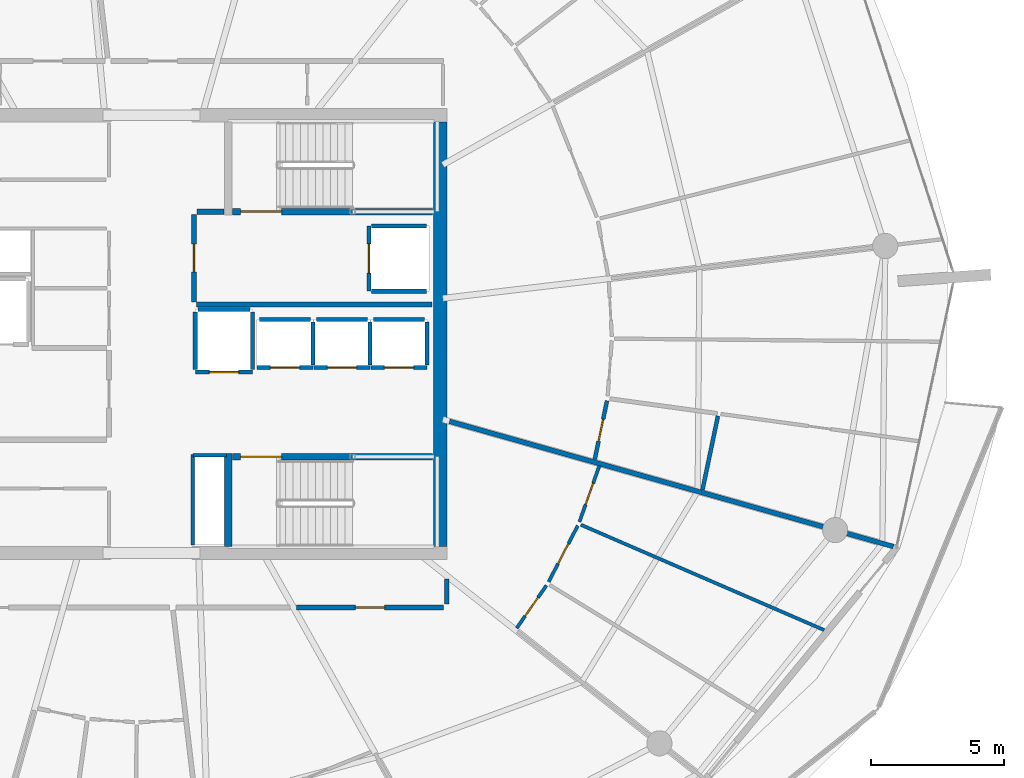
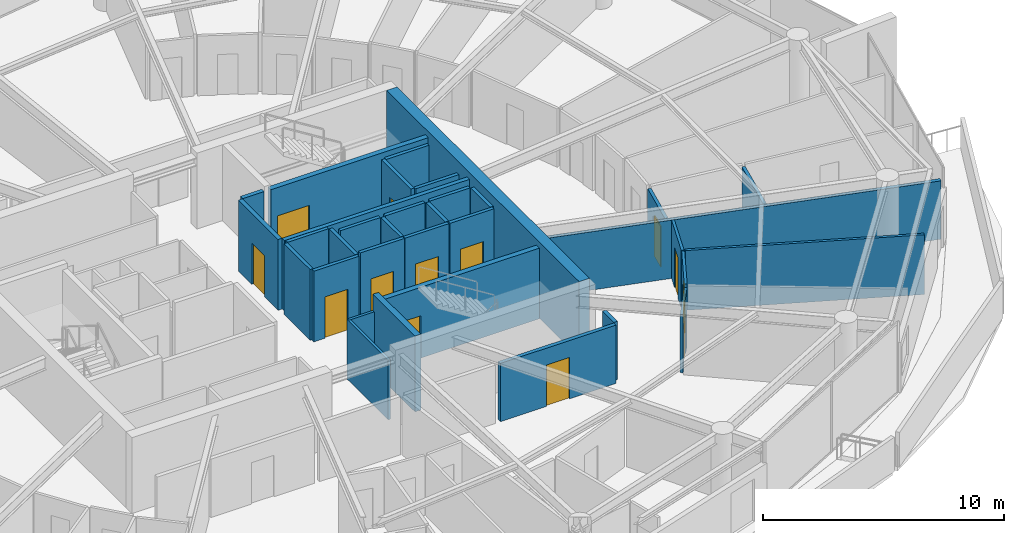
# One storey, part 19 of 29: 34 walls, 13 doors, 13 openings.
"""IFC4 building model written with IfcOpenShell, lengths in metres."""

from ifc_helpers import new_model, si_unit, direction, frame, frame_2d, origin, place, context, subcontext, project, spatial, rectangle, extrude, material, layer, layer_set, type_object, element, fill, save


model = new_model("IFC4")

# Units and contexts
model_context = context("Model", 3, precision=1e-05, world=origin(), true_north=direction((0.0, 1.0)))
body_context = subcontext(model_context, "Body", "Model", "MODEL_VIEW")
ifc_project = project(units=[si_unit("LENGTHUNIT", "METRE"), si_unit("AREAUNIT", "SQUARE_METRE"), si_unit("VOLUMEUNIT", "CUBIC_METRE"), si_unit("PLANEANGLEUNIT", "RADIAN"), si_unit("MASSUNIT", "GRAM", prefix="KILO")], contexts=[model_context])

# Site, building, storey
site_placement = place(None, origin())
site = spatial("IfcSite", under=ifc_project, at=site_placement, CompositionType="ELEMENT")
building_placement = place(site_placement, origin())
building = spatial("IfcBuilding", under=site, at=building_placement, Name="Kazma Halo Residences", CompositionType="ELEMENT")
storey_placement = place(building_placement, frame((0.0, 0.0, 282.89990234375)))
storey = spatial("IfcBuildingStorey", under=building, at=storey_placement, Name="L71", CompositionType="ELEMENT", Elevation=282.89990234375)

# Walls
ifc_material_1 = material(Name="Concrete C60/75", Category="concrete")
ifc_layer_1 = layer(ifc_material_1, 0.5)
ifc_layer_set_1 = layer_set([ifc_layer_1], Name="Concrete C60/75")
wall_type_1 = type_object("IfcWallType", Name="WL-CORE-500", PredefinedType="SHEAR", material=ifc_layer_set_1)
wall_1_placement = place(storey_placement, frame((59.300048828125, 34.0, 0.0), z_axis=(0.0, 0.0, 1.0), x_axis=(0.0, 1.0, 0.0)))
element("IfcWall", 1, at=wall_1_placement, inside=storey, type_object=wall_type_1, Name="L71 central core shear wall E", PredefinedType="SHEAR", context=body_context, shape_type="SweptSolid", body=[
    extrude(rectangle(XDim=16.0, YDim=0.5, at=frame_2d((8.0, 0.0))), origin(), (0.0, 0.0, 1.0), 3.85009765625),
])
ifc_layer_2 = layer(ifc_material_1, 0.280029296875)
ifc_layer_set_2 = layer_set([ifc_layer_2], Name="Concrete C60/75")
wall_type_2 = type_object("IfcWallType", Name="WL-CORE-ST-280", PredefinedType="SHEAR", material=ifc_layer_set_2)
wall_2_placement = place(storey_placement, frame((51.31005859375, 34.0, 0.0), z_axis=(0.0, 0.0, 1.0), x_axis=(0.0, 1.0, 0.0)))
element("IfcWall", 2, at=wall_2_placement, inside=storey, type_object=wall_type_2, Name="L71 stairwell bearing wall ST03-W", PredefinedType="SHEAR", context=body_context, shape_type="SweptSolid", body=[
    extrude(rectangle(XDim=3.5, YDim=0.280029296875, at=frame_2d((1.75, 0.0))), origin(), (0.0, 0.0, 1.0), 3.85009765625),
])
ifc_material_2 = material(Name="Acoustic Twin-Stud Gypsum")
ifc_layer_3 = layer(ifc_material_2, 0.179931640625)
ifc_layer_set_3 = layer_set([ifc_layer_3], Name="Acoustic Twin-Stud Gypsum")
wall_type_3 = type_object("IfcWallType", Name="WL-DEM-180", PredefinedType="PARTITIONING", material=ifc_layer_set_3)
wall_3_placement = place(storey_placement, frame((59.656005859375, 38.712646484375, 0.0), z_axis=(0.0, 0.0, 1.0), x_axis=(0.962454756022, -0.27144215334, 0.0)))
element("IfcWall", 3, at=wall_3_placement, inside=storey, type_object=wall_type_3, Name="L71 apartment demising radial wall 14", PredefinedType="PARTITIONING", context=body_context, shape_type="SweptSolid", body=[
    extrude(rectangle(XDim=17.385009765625, YDim=0.179931640625, at=frame_2d((8.6923828125, 0.0))), origin(), (0.0, 0.0, 1.0), 2.95703125),
])

# Wall, opening, door
wall_4_placement = place(storey_placement, frame((53.88818359375, 31.699951171875, 0.0), z_axis=(0.0, 0.0, 1.0), x_axis=(1.0, 0.0, 0.0)))
wall_4 = element("IfcWall", 4, at=wall_4_placement, inside=storey, type_object=wall_type_3, Name="L71 Apartment 3 entrance corridor wall", PredefinedType="PARTITIONING", context=body_context, shape_type="SweptSolid", body=[
    extrude(rectangle(XDim=5.541748046875, YDim=0.179931640625, at=frame_2d((2.77099609375, 0.0))), origin(), (0.0, 0.0, 1.0), 2.95703125),
])
opening_1_placement = place(wall_4_placement, frame((2.220703125, 0.0, 0.0)))
opening_1 = element("IfcOpeningElement", 5, at=opening_1_placement, cuts=wall_4, Name="Opening DA-1100", PredefinedType="OPENING", context=body_context, shape_type="SweptSolid", body=[
    extrude(rectangle(XDim=1.10009765625, YDim=2.10009765625, at=frame_2d((0.550048828125, 1.050048828125))), frame((0.0, 0.099853515625, 0.0), z_axis=(0.0, -1.0, 0.0), x_axis=(1.0, 0.0, 0.0)), (0.0, 0.0, 1.0), 0.199951171875),
])
ifc_material_3 = material(Name="Acoustic Walnut Fire Leaf")
door_type_1 = type_object("IfcDoorType", Name="DR-FD60-1100", OperationType="NOTDEFINED", PredefinedType="DOOR", material=ifc_material_3)
door_1_placement = place(opening_1_placement, origin())
door_1 = element("IfcDoor", 6, at=door_1_placement, inside=storey, type_object=door_type_1, Name="L71 Apartment 3 entrance fire door", OperationType="SINGLE_SWING_LEFT", OverallHeight=2.10009765625, OverallWidth=1.10009765625, PredefinedType="DOOR", context=body_context, shape_type="SweptSolid", body=[
    extrude(rectangle(XDim=1.10009765625, YDim=2.10009765625, at=frame_2d((0.550048828125, 1.050048828125))), frame((0.0, 0.02490234375, 0.0), z_axis=(0.0, -1.0, 0.0), x_axis=(1.0, 0.0, 0.0)), (0.0, 0.0, 1.0), 0.050048828125),
])
fill(opening_1, door_1)

# Wall
wall_5_placement = place(storey_placement, frame((59.550048828125, 31.820068359375, 0.0), z_axis=(0.0, 0.0, 1.0), x_axis=(0.0, 1.0, 0.0)))
element("IfcWall", 7, at=wall_5_placement, inside=storey, type_object=wall_type_3, Name="L71 Apartment 3 entrance corridor wall", PredefinedType="PARTITIONING", context=body_context, shape_type="SweptSolid", body=[
    extrude(rectangle(XDim=0.95458984375, YDim=0.179931640625, at=frame_2d((0.477294921875, 0.0))), origin(), (0.0, 0.0, 1.0), 2.95703125),
])

# Wall, opening, door
ifc_material_4 = material(Name="Fire-Rated Blockwork Masonry", Category="masonry")
ifc_layer_4 = layer(ifc_material_4, 0.199951171875)
ifc_layer_set_4 = layer_set([ifc_layer_4], Name="Fire-Rated Blockwork Masonry")
wall_type_4 = type_object("IfcWallType", Name="WL-FLB-200", PredefinedType="PARTITIONING", material=ifc_layer_set_4)
wall_6_placement = place(storey_placement, frame((54.5048828125, 40.7451171875, 0.0), z_axis=(0.0, 0.0, 1.0), x_axis=(-1.0, 0.0, 0.0)))
wall_6 = element("IfcWall", 8, at=wall_6_placement, inside=storey, type_object=wall_type_4, Name="L71 lift shaft PH-01 front wall", PredefinedType="PARTITIONING", context=body_context, shape_type="SweptSolid", body=[
    extrude(rectangle(XDim=2.10986328125, YDim=0.159912109375, at=frame_2d((1.054931640625, 0.0))), origin(), (0.0, 0.0, 1.0), 3.590087890625),
])
opening_2_placement = place(wall_6_placement, frame((0.5048828125, 0.0, 0.0)))
opening_2 = element("IfcOpeningElement", 9, at=opening_2_placement, cuts=wall_6, Name="Opening LD-PH-01", PredefinedType="OPENING", context=body_context, shape_type="SweptSolid", body=[
    extrude(rectangle(XDim=1.10009765625, YDim=2.10009765625, at=frame_2d((0.550048828125, 1.050048828125))), frame((0.0, 0.08984375, 0.0), z_axis=(0.0, -1.0, 0.0), x_axis=(1.0, 0.0, 0.0)), (0.0, 0.0, 1.0), 0.179931640625),
])
ifc_material_5 = material(Name="Stainless Steel Fire-Rated", Category="steel")
door_type_2 = type_object("IfcDoorType", Name="DR-LIFT-SLD-1100", OperationType="DOUBLE_DOOR_SLIDING", PredefinedType="DOOR", material=ifc_material_5)
door_2_placement = place(opening_2_placement, origin())
door_2 = element("IfcDoor", 10, at=door_2_placement, inside=storey, type_object=door_type_2, Name="L71 lift PH-01 sliding landing door", OperationType="DOUBLE_DOOR_SLIDING", OverallHeight=2.10009765625, OverallWidth=1.10009765625, PredefinedType="DOOR", context=body_context, shape_type="SweptSolid", body=[
    extrude(rectangle(XDim=1.10009765625, YDim=2.10009765625, at=frame_2d((0.550048828125, 1.050048828125))), frame((0.0, 0.02490234375, 0.0), z_axis=(0.0, -1.0, 0.0), x_axis=(1.0, 0.0, 0.0)), (0.0, 0.0, 1.0), 0.050048828125),
])
fill(opening_2, door_2)

# Walls
wall_7_placement = place(storey_placement, frame((54.5048828125, 40.844970703125, 0.0), z_axis=(0.0, 0.0, 1.0), x_axis=(0.0, 1.0, 0.0)))
element("IfcWall", 11, at=wall_7_placement, inside=storey, type_object=wall_type_4, Name="L71 lift shaft PH-01 side wall E", PredefinedType="PARTITIONING", context=body_context, shape_type="SweptSolid", body=[
    extrude(rectangle(XDim=1.610107421875, YDim=0.159912109375, at=frame_2d((0.80517578125, 0.0))), origin(), (0.0, 0.0, 1.0), 3.590087890625),
])
wall_8_placement = place(storey_placement, frame((52.4951171875, 42.554931640625, 0.0), z_axis=(0.0, 0.0, 1.0), x_axis=(1.0, 0.0, 0.0)))
element("IfcWall", 12, at=wall_8_placement, inside=storey, type_object=wall_type_4, Name="L71 lift shaft PH-01 side wall N", PredefinedType="PARTITIONING", context=body_context, shape_type="SweptSolid", body=[
    extrude(rectangle(XDim=1.909912109375, YDim=0.159912109375, at=frame_2d((0.955078125, 0.0))), origin(), (0.0, 0.0, 1.0), 3.590087890625),
])

# Wall, opening, door
wall_9_placement = place(storey_placement, frame((56.655029296875, 40.7451171875, 0.0), z_axis=(0.0, 0.0, 1.0), x_axis=(-1.0, 0.0, 0.0)))
wall_9 = element("IfcWall", 13, at=wall_9_placement, inside=storey, type_object=wall_type_4, Name="L71 lift shaft PH-02 front wall", PredefinedType="PARTITIONING", context=body_context, shape_type="SweptSolid", body=[
    extrude(rectangle(XDim=2.110107421875, YDim=0.159912109375, at=frame_2d((1.05517578125, 0.0))), origin(), (0.0, 0.0, 1.0), 3.590087890625),
])
opening_3_placement = place(wall_9_placement, frame((0.5048828125, 0.0, 0.0)))
opening_3 = element("IfcOpeningElement", 14, at=opening_3_placement, cuts=wall_9, Name="Opening LD-PH-02", PredefinedType="OPENING", context=body_context, shape_type="SweptSolid", body=[
    extrude(rectangle(XDim=1.10009765625, YDim=2.10009765625, at=frame_2d((0.550048828125, 1.050048828125))), frame((0.0, 0.08984375, 0.0), z_axis=(0.0, -1.0, 0.0), x_axis=(1.0, 0.0, 0.0)), (0.0, 0.0, 1.0), 0.179931640625),
])
door_3_placement = place(opening_3_placement, origin())
door_3 = element("IfcDoor", 15, at=door_3_placement, inside=storey, type_object=door_type_2, Name="L71 lift PH-02 sliding landing door", OperationType="DOUBLE_DOOR_SLIDING", OverallHeight=2.10009765625, OverallWidth=1.10009765625, PredefinedType="DOOR", context=body_context, shape_type="SweptSolid", body=[
    extrude(rectangle(XDim=1.10009765625, YDim=2.10009765625, at=frame_2d((0.550048828125, 1.050048828125))), frame((0.0, 0.02490234375, 0.0), z_axis=(0.0, -1.0, 0.0), x_axis=(1.0, 0.0, 0.0)), (0.0, 0.0, 1.0), 0.050048828125),
])
fill(opening_3, door_3)

# Walls
wall_10_placement = place(storey_placement, frame((56.655029296875, 40.844970703125, 0.0), z_axis=(0.0, 0.0, 1.0), x_axis=(0.0, 1.0, 0.0)))
element("IfcWall", 16, at=wall_10_placement, inside=storey, type_object=wall_type_4, Name="L71 lift shaft PH-02 side wall E", PredefinedType="PARTITIONING", context=body_context, shape_type="SweptSolid", body=[
    extrude(rectangle(XDim=1.610107421875, YDim=0.159912109375, at=frame_2d((0.80517578125, 0.0))), origin(), (0.0, 0.0, 1.0), 3.590087890625),
])
wall_11_placement = place(storey_placement, frame((54.64501953125, 42.554931640625, 0.0), z_axis=(0.0, 0.0, 1.0), x_axis=(1.0, 0.0, 0.0)))
element("IfcWall", 17, at=wall_11_placement, inside=storey, type_object=wall_type_4, Name="L71 lift shaft PH-02 side wall N", PredefinedType="PARTITIONING", context=body_context, shape_type="SweptSolid", body=[
    extrude(rectangle(XDim=1.909912109375, YDim=0.159912109375, at=frame_2d((0.955078125, 0.0))), origin(), (0.0, 0.0, 1.0), 3.590087890625),
])

# Wall, opening, door
wall_12_placement = place(storey_placement, frame((58.804931640625, 40.7451171875, 0.0), z_axis=(0.0, 0.0, 1.0), x_axis=(-1.0, 0.0, 0.0)))
wall_12 = element("IfcWall", 18, at=wall_12_placement, inside=storey, type_object=wall_type_4, Name="L71 lift shaft PH-03 front wall", PredefinedType="PARTITIONING", context=body_context, shape_type="SweptSolid", body=[
    extrude(rectangle(XDim=2.10986328125, YDim=0.159912109375, at=frame_2d((1.054931640625, 0.0))), origin(), (0.0, 0.0, 1.0), 3.590087890625),
])
opening_4_placement = place(wall_12_placement, frame((0.5048828125, 0.0, 0.0)))
opening_4 = element("IfcOpeningElement", 19, at=opening_4_placement, cuts=wall_12, Name="Opening LD-PH-03", PredefinedType="OPENING", context=body_context, shape_type="SweptSolid", body=[
    extrude(rectangle(XDim=1.10009765625, YDim=2.10009765625, at=frame_2d((0.550048828125, 1.050048828125))), frame((0.0, 0.08984375, 0.0), z_axis=(0.0, -1.0, 0.0), x_axis=(1.0, 0.0, 0.0)), (0.0, 0.0, 1.0), 0.179931640625),
])
door_4_placement = place(opening_4_placement, origin())
door_4 = element("IfcDoor", 20, at=door_4_placement, inside=storey, type_object=door_type_2, Name="L71 lift PH-03 sliding landing door", OperationType="DOUBLE_DOOR_SLIDING", OverallHeight=2.10009765625, OverallWidth=1.10009765625, PredefinedType="DOOR", context=body_context, shape_type="SweptSolid", body=[
    extrude(rectangle(XDim=1.10009765625, YDim=2.10009765625, at=frame_2d((0.550048828125, 1.050048828125))), frame((0.0, 0.02490234375, 0.0), z_axis=(0.0, -1.0, 0.0), x_axis=(1.0, 0.0, 0.0)), (0.0, 0.0, 1.0), 0.050048828125),
])
fill(opening_4, door_4)

# Walls
wall_13_placement = place(storey_placement, frame((58.804931640625, 40.844970703125, 0.0), z_axis=(0.0, 0.0, 1.0), x_axis=(0.0, 1.0, 0.0)))
element("IfcWall", 21, at=wall_13_placement, inside=storey, type_object=wall_type_4, Name="L71 lift shaft PH-03 side wall E", PredefinedType="PARTITIONING", context=body_context, shape_type="SweptSolid", body=[
    extrude(rectangle(XDim=1.610107421875, YDim=0.159912109375, at=frame_2d((0.80517578125, 0.0))), origin(), (0.0, 0.0, 1.0), 3.590087890625),
])
wall_14_placement = place(storey_placement, frame((56.794921875, 42.554931640625, 0.0), z_axis=(0.0, 0.0, 1.0), x_axis=(1.0, 0.0, 0.0)))
element("IfcWall", 22, at=wall_14_placement, inside=storey, type_object=wall_type_4, Name="L71 lift shaft PH-03 side wall N", PredefinedType="PARTITIONING", context=body_context, shape_type="SweptSolid", body=[
    extrude(rectangle(XDim=1.91015625, YDim=0.159912109375, at=frame_2d((0.955078125, 0.0))), origin(), (0.0, 0.0, 1.0), 3.590087890625),
])

# Wall, opening, door
wall_15_placement = place(storey_placement, frame((56.6201171875, 46.080078125, 0.0), z_axis=(0.0, 0.0, 1.0), x_axis=(0.0, -1.0, 0.0)))
wall_15 = element("IfcWall", 23, at=wall_15_placement, inside=storey, type_object=wall_type_4, Name="L71 lift shaft FL-02 front wall", PredefinedType="PARTITIONING", context=body_context, shape_type="SweptSolid", body=[
    extrude(rectangle(XDim=2.4599609375, YDim=0.159912109375, at=frame_2d((1.22998046875, 0.0))), origin(), (0.0, 0.0, 1.0), 3.590087890625),
])
opening_5_placement = place(wall_15_placement, frame((0.679931640625, 0.0, 0.0)))
opening_5 = element("IfcOpeningElement", 24, at=opening_5_placement, cuts=wall_15, Name="Opening LD-FL-02", PredefinedType="OPENING", context=body_context, shape_type="SweptSolid", body=[
    extrude(rectangle(XDim=1.10009765625, YDim=2.10009765625, at=frame_2d((0.550048828125, 1.050048828125))), frame((0.0, 0.08984375, 0.0), z_axis=(0.0, -1.0, 0.0), x_axis=(1.0, 0.0, 0.0)), (0.0, 0.0, 1.0), 0.179931640625),
])
door_5_placement = place(opening_5_placement, origin())
door_5 = element("IfcDoor", 25, at=door_5_placement, inside=storey, type_object=door_type_2, Name="L71 lift FL-02 sliding landing door", OperationType="DOUBLE_DOOR_SLIDING", OverallHeight=2.10009765625, OverallWidth=1.10009765625, PredefinedType="DOOR", context=body_context, shape_type="SweptSolid", body=[
    extrude(rectangle(XDim=1.10009765625, YDim=2.10009765625, at=frame_2d((0.550048828125, 1.050048828125))), frame((0.0, 0.02490234375, 0.0), z_axis=(0.0, -1.0, 0.0), x_axis=(1.0, 0.0, 0.0)), (0.0, 0.0, 1.0), 0.050048828125),
])
fill(opening_5, door_5)

# Walls
for number, where, z_axis, x_axis, name in (
    (26, (56.719970703125, 46.080078125, 0.0), (0.0, 0.0, 1.0), (1.0, 0.0, 0.0), "L71 lift shaft FL-02 side wall N"),
    (27, (56.719970703125, 43.6201171875, 0.0), (0.0, 0.0, 1.0), (1.0, 0.0, 0.0), "L71 lift shaft FL-02 side wall S"),
):
    element("IfcWall", number, at=place(storey_placement, frame(where, z_axis=z_axis, x_axis=x_axis)), inside=storey, type_object=wall_type_4, Name=name, PredefinedType="PARTITIONING", context=body_context, shape_type="SweptSolid", body=[
        extrude(rectangle(XDim=2.06005859375, YDim=0.159912109375, at=frame_2d((1.030029296875, 0.0))), origin(), (0.0, 0.0, 1.0), 3.590087890625),
    ])

# Wall, opening, door
wall_16_placement = place(storey_placement, frame((52.22998046875, 40.570068359375, 0.0), z_axis=(0.0, 0.0, 1.0), x_axis=(-1.0, 0.0, 0.0)))
wall_16 = element("IfcWall", 28, at=wall_16_placement, inside=storey, type_object=wall_type_4, Name="L71 lift shaft SV-01 front wall", PredefinedType="PARTITIONING", context=body_context, shape_type="SweptSolid", body=[
    extrude(rectangle(XDim=2.159912109375, YDim=0.159912109375, at=frame_2d((1.080078125, 0.0))), origin(), (0.0, 0.0, 1.0), 3.590087890625),
])
opening_6_placement = place(wall_16_placement, frame((0.530029296875, 0.0, 0.0)))
opening_6 = element("IfcOpeningElement", 29, at=opening_6_placement, cuts=wall_16, Name="Opening LD-SV-01", PredefinedType="OPENING", context=body_context, shape_type="SweptSolid", body=[
    extrude(rectangle(XDim=1.10009765625, YDim=2.10009765625, at=frame_2d((0.550048828125, 1.050048828125))), frame((0.0, 0.08984375, 0.0), z_axis=(0.0, -1.0, 0.0), x_axis=(1.0, 0.0, 0.0)), (0.0, 0.0, 1.0), 0.179931640625),
])
door_6_placement = place(opening_6_placement, origin())
door_6 = element("IfcDoor", 30, at=door_6_placement, inside=storey, type_object=door_type_2, Name="L71 lift SV-01 sliding landing door", OperationType="DOUBLE_DOOR_SLIDING", OverallHeight=2.10009765625, OverallWidth=1.10009765625, PredefinedType="DOOR", context=body_context, shape_type="SweptSolid", body=[
    extrude(rectangle(XDim=1.10009765625, YDim=2.10009765625, at=frame_2d((0.550048828125, 1.050048828125))), frame((0.0, 0.02490234375, 0.0), z_axis=(0.0, -1.0, 0.0), x_axis=(1.0, 0.0, 0.0)), (0.0, 0.0, 1.0), 0.050048828125),
])
fill(opening_6, door_6)

# Walls
for number, where, z_axis, x_axis, name in (
    (31, (52.22998046875, 40.669921875, 0.0), (0.0, 0.0, 1.0), (0.0, 1.0, 0.0), "L71 lift shaft SV-01 side wall E"),
    (32, (50.070068359375, 40.669921875, 0.0), (0.0, 0.0, 1.0), (0.0, 1.0, 0.0), "L71 lift shaft SV-01 side wall W"),
):
    element("IfcWall", number, at=place(storey_placement, frame(where, z_axis=z_axis, x_axis=x_axis)), inside=storey, type_object=wall_type_4, Name=name, PredefinedType="PARTITIONING", context=body_context, shape_type="SweptSolid", body=[
        extrude(rectangle(XDim=2.16015625, YDim=0.159912109375, at=frame_2d((1.080078125, 0.0))), origin(), (0.0, 0.0, 1.0), 3.590087890625),
    ])
wall_17_placement = place(storey_placement, frame((50.169921875, 42.929931640625, 0.0), z_axis=(0.0, 0.0, 1.0), x_axis=(1.0, 0.0, 0.0)))
element("IfcWall", 33, at=wall_17_placement, inside=storey, type_object=wall_type_4, Name="L71 lift shaft SV-01 side wall N", PredefinedType="PARTITIONING", context=body_context, shape_type="SweptSolid", body=[
    extrude(rectangle(XDim=1.9599609375, YDim=0.159912109375, at=frame_2d((0.97998046875, 0.0))), origin(), (0.0, 0.0, 1.0), 3.590087890625),
])
wall_18_placement = place(storey_placement, frame((50.1201171875, 43.1201171875, 0.0), z_axis=(0.0, 0.0, 1.0), x_axis=(1.0, 0.0, 0.0)))
element("IfcWall", 34, at=wall_18_placement, inside=storey, type_object=wall_type_4, Name="L71 east firefighting lobby south smoke wall", PredefinedType="PARTITIONING", context=body_context, shape_type="SweptSolid", body=[
    extrude(rectangle(XDim=8.8798828125, YDim=0.199951171875, at=frame_2d((4.43994140625, 0.0))), origin(), (0.0, 0.0, 1.0), 3.590087890625),
])
wall_19_placement = place(storey_placement, frame((50.139892578125, 46.6201171875, 0.0), z_axis=(0.0, 0.0, 1.0), x_axis=(1.0, 0.0, 0.0)))
element("IfcWall", 35, at=wall_19_placement, inside=storey, type_object=wall_type_4, Name="L71 east firefighting lobby north closure wall", PredefinedType="PARTITIONING", context=body_context, shape_type="SweptSolid", body=[
    extrude(rectangle(XDim=1.02001953125, YDim=0.199951171875, at=frame_2d((0.510009765625, 0.0))), origin(), (0.0, 0.0, 1.0), 3.590087890625),
])

# Wall, opening, door
wall_20_placement = place(storey_placement, frame((50.02001953125, 43.219970703125, 0.0), z_axis=(0.0, 0.0, 1.0), x_axis=(0.0, 1.0, 0.0)))
wall_20 = element("IfcWall", 36, at=wall_20_placement, inside=storey, type_object=wall_type_4, Name="L71 east firefighting lobby smoke wall", PredefinedType="PARTITIONING", context=body_context, shape_type="SweptSolid", body=[
    extrude(rectangle(XDim=3.300048828125, YDim=0.199951171875, at=frame_2d((1.64990234375, 0.0))), origin(), (0.0, 0.0, 1.0), 3.590087890625),
])
opening_7_placement = place(wall_20_placement, frame((1.125, 0.0, 0.0)))
opening_7 = element("IfcOpeningElement", 37, at=opening_7_placement, cuts=wall_20, Name="Opening D-FLE", PredefinedType="OPENING", context=body_context, shape_type="SweptSolid", body=[
    extrude(rectangle(XDim=1.050048828125, YDim=2.10009765625, at=frame_2d((0.52490234375, 1.050048828125))), frame((0.0, 0.10986328125, 0.0), z_axis=(0.0, -1.0, 0.0), x_axis=(1.0, 0.0, 0.0)), (0.0, 0.0, 1.0), 0.219970703125),
])
ifc_material_6 = material(Name="Fire-Rated Steel Leaf", Category="steel")
door_type_3 = type_object("IfcDoorType", Name="DR-FD90-1050", OperationType="NOTDEFINED", PredefinedType="DOOR", material=ifc_material_6)
door_7_placement = place(opening_7_placement, origin())
door_7 = element("IfcDoor", 38, at=door_7_placement, inside=storey, type_object=door_type_3, Name="L71 east firefighting lobby smoke door", OperationType="SINGLE_SWING_LEFT", OverallHeight=2.10009765625, OverallWidth=1.050048828125, PredefinedType="DOOR", context=body_context, shape_type="SweptSolid", body=[
    extrude(rectangle(XDim=1.050048828125, YDim=2.10009765625, at=frame_2d((0.52490234375, 1.050048828125))), frame((0.0, 0.02490234375, 0.0), z_axis=(0.0, -1.0, 0.0), x_axis=(1.0, 0.0, 0.0)), (0.0, 0.0, 1.0), 0.050048828125),
])
fill(opening_7, door_7)

# Walls
ifc_material_7 = material(Name="Gypsum Plasterboard Partition")
ifc_layer_5 = layer(ifc_material_7, 0.125)
ifc_layer_set_5 = layer_set([ifc_layer_5], Name="Gypsum Plasterboard Partition")
wall_type_5 = type_object("IfcWallType", Name="WL-PART-125", PredefinedType="PARTITIONING", material=ifc_layer_set_5)
wall_21_placement = place(storey_placement, frame((49.97998046875, 34.06005859375, 0.0), z_axis=(0.0, 0.0, 1.0), x_axis=(0.0, 1.0, 0.0)))
element("IfcWall", 39, at=wall_21_placement, inside=storey, type_object=wall_type_5, Name="L71 standpipe riser wall", PredefinedType="PARTITIONING", context=body_context, shape_type="SweptSolid", body=[
    extrude(rectangle(XDim=3.39990234375, YDim=0.125, at=frame_2d((1.699951171875, 0.0))), origin(), (0.0, 0.0, 1.0), 3.030029296875),
])
wall_22_placement = place(storey_placement, frame((49.97998046875, 37.43994140625, 0.0), z_axis=(0.0, 0.0, 1.0), x_axis=(1.0, 0.0, 0.0)))
element("IfcWall", 40, at=wall_22_placement, inside=storey, type_object=wall_type_5, Name="L71 standpipe riser north wall", PredefinedType="PARTITIONING", context=body_context, shape_type="SweptSolid", body=[
    extrude(rectangle(XDim=1.260009765625, YDim=0.125, at=frame_2d((0.6298828125, 0.0))), origin(), (0.0, 0.0, 1.0), 3.030029296875),
])
wall_23_placement = place(storey_placement, frame((64.607666015625, 34.813232421875, 0.0), z_axis=(0.0, 0.0, 1.0), x_axis=(0.917754543675, -0.397148080146, 0.0)))
element("IfcWall", 41, at=wall_23_placement, inside=storey, type_object=wall_type_5, Name="L71 Apartment 3 bay wall 2 13", PredefinedType="PARTITIONING", context=body_context, shape_type="SweptSolid", body=[
    extrude(rectangle(XDim=9.994384765625, YDim=0.125, at=frame_2d((4.9970703125, 0.0))), origin(), (0.0, 0.0, 1.0), 3.030029296875),
])

# Wall, opening, door
wall_24_placement = place(storey_placement, frame((62.18603515625, 30.918212890625, 0.0), z_axis=(0.0, 0.0, 1.0), x_axis=(0.571797742108, 0.820394625848, 0.0)))
wall_24 = element("IfcWall", 42, at=wall_24_placement, inside=storey, type_object=wall_type_5, Name="L71 Apartment 3 East Bedroom hall wall", PredefinedType="PARTITIONING", context=body_context, shape_type="SweptSolid", body=[
    extrude(rectangle(XDim=1.960205078125, YDim=0.125, at=frame_2d((0.97998046875, 0.0))), origin(), (0.0, 0.0, 1.0), 2.95703125),
])
opening_8_placement = place(wall_24_placement, frame((0.55517578125, 0.0, 0.0)))
opening_8 = element("IfcOpeningElement", 43, at=opening_8_placement, cuts=wall_24, Name="Opening DB-900", PredefinedType="OPENING", context=body_context, shape_type="SweptSolid", body=[
    extrude(rectangle(XDim=0.85009765625, YDim=2.06005859375, at=frame_2d((0.425048828125, 1.030029296875))), frame((0.0, 0.072509765625, 0.0), z_axis=(0.0, -1.0, 0.0), x_axis=(1.0, 0.0, 0.0)), (0.0, 0.0, 1.0), 0.14501953125),
])
ifc_material_8 = material(Name="Moisture-Sealed Timber Leaf", Category="wood")
door_type_4 = type_object("IfcDoorType", Name="DR-BTH-900", OperationType="NOTDEFINED", PredefinedType="DOOR", material=ifc_material_8)
door_8_placement = place(opening_8_placement, origin())
door_8 = element("IfcDoor", 44, at=door_8_placement, inside=storey, type_object=door_type_4, Name="L71 Apartment 3 East Bedroom door", OperationType="SINGLE_SWING_RIGHT", OverallHeight=2.06005859375, OverallWidth=0.85009765625, PredefinedType="DOOR", context=body_context, shape_type="SweptSolid", body=[
    extrude(rectangle(XDim=0.85009765625, YDim=2.06005859375, at=frame_2d((0.425048828125, 1.030029296875))), frame((0.0, 0.02490234375, 0.0), z_axis=(0.0, -1.0, 0.0), x_axis=(1.0, 0.0, 0.0)), (0.0, 0.0, 1.0), 0.050048828125),
])
fill(opening_8, door_8)

wall_25_placement = place(storey_placement, frame((63.389404296875, 32.662841796875, 0.0), z_axis=(0.0, 0.0, 1.0), x_axis=(0.461007635573, 0.887396168542, 0.0)))
wall_25 = element("IfcWall", 45, at=wall_25_placement, inside=storey, type_object=wall_type_5, Name="L71 Apartment 3 West Dressing Wardrobe hall wall", PredefinedType="PARTITIONING", context=body_context, shape_type="SweptSolid", body=[
    extrude(rectangle(XDim=2.383544921875, YDim=0.125, at=frame_2d((1.19189453125, 0.0))), origin(), (0.0, 0.0, 1.0), 3.030029296875),
])
opening_9_placement = place(wall_25_placement, frame((0.7666015625, 0.0, 0.0)))
opening_9 = element("IfcOpeningElement", 46, at=opening_9_placement, cuts=wall_25, Name="Opening DB-900", PredefinedType="OPENING", context=body_context, shape_type="SweptSolid", body=[
    extrude(rectangle(XDim=0.85009765625, YDim=2.06005859375, at=frame_2d((0.425048828125, 1.030029296875))), frame((0.0, 0.072509765625, 0.0), z_axis=(0.0, -1.0, 0.0), x_axis=(1.0, 0.0, 0.0)), (0.0, 0.0, 1.0), 0.14501953125),
])
door_9_placement = place(opening_9_placement, origin())
door_9 = element("IfcDoor", 47, at=door_9_placement, inside=storey, type_object=door_type_4, Name="L71 Apartment 3 West Dressing Wardrobe door", OperationType="SINGLE_SWING_LEFT", OverallHeight=2.06005859375, OverallWidth=0.85009765625, PredefinedType="DOOR", context=body_context, shape_type="SweptSolid", body=[
    extrude(rectangle(XDim=0.85009765625, YDim=2.06005859375, at=frame_2d((0.425048828125, 1.030029296875))), frame((0.0, 0.02490234375, 0.0), z_axis=(0.0, -1.0, 0.0), x_axis=(1.0, 0.0, 0.0)), (0.0, 0.0, 1.0), 0.050048828125),
])
fill(opening_9, door_9)

wall_26_placement = place(storey_placement, frame((64.552001953125, 34.92431640625, 0.0), z_axis=(0.0, 0.0, 1.0), x_axis=(0.335011815583, 0.942213926569, 0.0)))
wall_26 = element("IfcWall", 48, at=wall_26_placement, inside=storey, type_object=wall_type_5, Name="L71 Apartment 3 North Bedroom hall wall", PredefinedType="PARTITIONING", context=body_context, shape_type="SweptSolid", body=[
    extrude(rectangle(XDim=2.242431640625, YDim=0.125, at=frame_2d((1.12109375, 0.0))), origin(), (0.0, 0.0, 1.0), 2.95703125),
])
opening_10_placement = place(wall_26_placement, frame((0.696044921875, 0.0, 0.0)))
opening_10 = element("IfcOpeningElement", 49, at=opening_10_placement, cuts=wall_26, Name="Opening DB-900", PredefinedType="OPENING", context=body_context, shape_type="SweptSolid", body=[
    extrude(rectangle(XDim=0.85009765625, YDim=2.06005859375, at=frame_2d((0.425048828125, 1.030029296875))), frame((0.0, 0.072509765625, 0.0), z_axis=(0.0, -1.0, 0.0), x_axis=(1.0, 0.0, 0.0)), (0.0, 0.0, 1.0), 0.14501953125),
])
door_10_placement = place(opening_10_placement, origin())
door_10 = element("IfcDoor", 50, at=door_10_placement, inside=storey, type_object=door_type_4, Name="L71 Apartment 3 North Bedroom door", OperationType="SINGLE_SWING_RIGHT", OverallHeight=2.06005859375, OverallWidth=0.85009765625, PredefinedType="DOOR", context=body_context, shape_type="SweptSolid", body=[
    extrude(rectangle(XDim=0.85009765625, YDim=2.06005859375, at=frame_2d((0.425048828125, 1.030029296875))), frame((0.0, 0.02490234375, 0.0), z_axis=(0.0, -1.0, 0.0), x_axis=(1.0, 0.0, 0.0)), (0.0, 0.0, 1.0), 0.050048828125),
])
fill(opening_10, door_10)

ifc_material_9 = material(Name="Concrete C50/60", Category="concrete")
ifc_layer_6 = layer(ifc_material_9, 0.25)
ifc_layer_set_6 = layer_set([ifc_layer_6], Name="Concrete C50/60")
wall_type_6 = type_object("IfcWallType", Name="WL-SHF-250", PredefinedType="SOLIDWALL", material=ifc_layer_set_6)
wall_27_placement = place(storey_placement, frame((51.47998046875, 46.6201171875, 0.0), z_axis=(0.0, 0.0, 1.0), x_axis=(1.0, 0.0, 0.0)))
wall_27 = element("IfcWall", 51, at=wall_27_placement, inside=storey, type_object=wall_type_6, Name="L71 exit stair ST-02 enclosure wall", PredefinedType="SOLIDWALL", context=body_context, shape_type="SweptSolid", body=[
    extrude(rectangle(XDim=7.5400390625, YDim=0.25, at=frame_2d((3.77001953125, 0.0))), origin(), (0.0, 0.0, 1.0), 3.590087890625),
])
opening_11_placement = place(wall_27_placement, frame((0.300048828125, 0.0, 0.0)))
opening_11 = element("IfcOpeningElement", 52, at=opening_11_placement, cuts=wall_27, Name="Opening D-ST2", PredefinedType="OPENING", context=body_context, shape_type="SweptSolid", body=[
    extrude(rectangle(XDim=1.550048828125, YDim=2.14990234375, at=frame_2d((0.77490234375, 1.074951171875))), frame((0.0, 0.135009765625, 0.0), z_axis=(0.0, -1.0, 0.0), x_axis=(1.0, 0.0, 0.0)), (0.0, 0.0, 1.0), 0.27001953125),
])
ifc_material_10 = material(Name="Fire-Rated Double Steel Leaf", Category="steel")
door_type_5 = type_object("IfcDoorType", Name="DR-FD90-1550", OperationType="NOTDEFINED", PredefinedType="DOOR", material=ifc_material_10)
door_11_placement = place(opening_11_placement, origin())
door_11 = element("IfcDoor", 53, at=door_11_placement, inside=storey, type_object=door_type_5, Name="L71 exit stair ST-02 fire door", OperationType="DOUBLE_DOOR_SINGLE_SWING", OverallHeight=2.14990234375, OverallWidth=1.550048828125, PredefinedType="DOOR", context=body_context, shape_type="SweptSolid", body=[
    extrude(rectangle(XDim=1.550048828125, YDim=2.14990234375, at=frame_2d((0.77490234375, 1.074951171875))), frame((0.0, 0.02490234375, 0.0), z_axis=(0.0, -1.0, 0.0), x_axis=(1.0, 0.0, 0.0)), (0.0, 0.0, 1.0), 0.050048828125),
])
fill(opening_11, door_11)

wall_28_placement = place(storey_placement, frame((51.47998046875, 37.3798828125, 0.0), z_axis=(0.0, 0.0, 1.0), x_axis=(1.0, 0.0, 0.0)))
wall_28 = element("IfcWall", 54, at=wall_28_placement, inside=storey, type_object=wall_type_6, Name="L71 exit stair ST-03 enclosure wall", PredefinedType="SOLIDWALL", context=body_context, shape_type="SweptSolid", body=[
    extrude(rectangle(XDim=7.5400390625, YDim=0.25, at=frame_2d((3.77001953125, 0.0))), origin(), (0.0, 0.0, 1.0), 3.590087890625),
])
opening_12_placement = place(wall_28_placement, frame((0.300048828125, 0.0, 0.0)))
opening_12 = element("IfcOpeningElement", 55, at=opening_12_placement, cuts=wall_28, Name="Opening D-ST3", PredefinedType="OPENING", context=body_context, shape_type="SweptSolid", body=[
    extrude(rectangle(XDim=1.550048828125, YDim=2.14990234375, at=frame_2d((0.77490234375, 1.074951171875))), frame((0.0, 0.135009765625, 0.0), z_axis=(0.0, -1.0, 0.0), x_axis=(1.0, 0.0, 0.0)), (0.0, 0.0, 1.0), 0.27001953125),
])
door_12_placement = place(opening_12_placement, origin())
door_12 = element("IfcDoor", 56, at=door_12_placement, inside=storey, type_object=door_type_5, Name="L71 exit stair ST-03 fire door", OperationType="DOUBLE_DOOR_SINGLE_SWING", OverallHeight=2.14990234375, OverallWidth=1.550048828125, PredefinedType="DOOR", context=body_context, shape_type="SweptSolid", body=[
    extrude(rectangle(XDim=1.550048828125, YDim=2.14990234375, at=frame_2d((0.77490234375, 1.074951171875))), frame((0.0, 0.02490234375, 0.0), z_axis=(0.0, -1.0, 0.0), x_axis=(1.0, 0.0, 0.0)), (0.0, 0.0, 1.0), 0.050048828125),
])
fill(opening_12, door_12)

ifc_material_11 = material(Name="Moisture-Resistant Gypsum")
ifc_layer_7 = layer(ifc_material_11, 0.14990234375)
ifc_layer_set_7 = layer_set([ifc_layer_7], Name="Moisture-Resistant Gypsum")
wall_type_7 = type_object("IfcWallType", Name="WL-WET-150", PredefinedType="PARTITIONING", material=ifc_layer_set_7)
wall_29_placement = place(storey_placement, frame((65.12890625, 37.272705078125, 0.0), z_axis=(0.0, 0.0, 1.0), x_axis=(0.204337271361, 0.978900546293, 0.0)))
wall_29 = element("IfcWall", 57, at=wall_29_placement, inside=storey, type_object=wall_type_7, Name="L71 Apartment 4 Guest Bathroom hall wall", PredefinedType="PARTITIONING", context=body_context, shape_type="SweptSolid", body=[
    extrude(rectangle(XDim=2.265380859375, YDim=0.14990234375, at=frame_2d((1.1328125, 0.0))), origin(), (0.0, 0.0, 1.0), 2.95703125),
])
opening_13_placement = place(wall_29_placement, frame((0.70751953125, 0.0, 0.0)))
opening_13 = element("IfcOpeningElement", 58, at=opening_13_placement, cuts=wall_29, Name="Opening DB-900", PredefinedType="OPENING", context=body_context, shape_type="SweptSolid", body=[
    extrude(rectangle(XDim=0.85009765625, YDim=2.06005859375, at=frame_2d((0.425048828125, 1.030029296875))), frame((0.0, 0.0849609375, 0.0), z_axis=(0.0, -1.0, 0.0), x_axis=(1.0, 0.0, 0.0)), (0.0, 0.0, 1.0), 0.169921875),
])
door_13_placement = place(opening_13_placement, origin())
door_13 = element("IfcDoor", 59, at=door_13_placement, inside=storey, type_object=door_type_4, Name="L71 Apartment 4 Guest Bathroom door", OperationType="SINGLE_SWING_RIGHT", OverallHeight=2.06005859375, OverallWidth=0.85009765625, PredefinedType="DOOR", context=body_context, shape_type="SweptSolid", body=[
    extrude(rectangle(XDim=0.85009765625, YDim=2.06005859375, at=frame_2d((0.425048828125, 1.030029296875))), frame((0.0, 0.02490234375, 0.0), z_axis=(0.0, -1.0, 0.0), x_axis=(1.0, 0.0, 0.0)), (0.0, 0.0, 1.0), 0.050048828125),
])
fill(opening_13, door_13)

# Wall
wall_30_placement = place(storey_placement, frame((69.190673828125, 36.127197265625, 0.0), z_axis=(0.0, 0.0, 1.0), x_axis=(0.204269165827, 0.978914760279, 0.0)))
element("IfcWall", 60, at=wall_30_placement, inside=storey, type_object=wall_type_7, Name="L71 Apartment 4 Guest Bathroom back wall", PredefinedType="PARTITIONING", context=body_context, shape_type="SweptSolid", body=[
    extrude(rectangle(XDim=2.84814453125, YDim=0.14990234375, at=frame_2d((1.424072265625, 0.0))), origin(), (0.0, 0.0, 1.0), 2.95703125),
])

save(model, "model.ifc")
